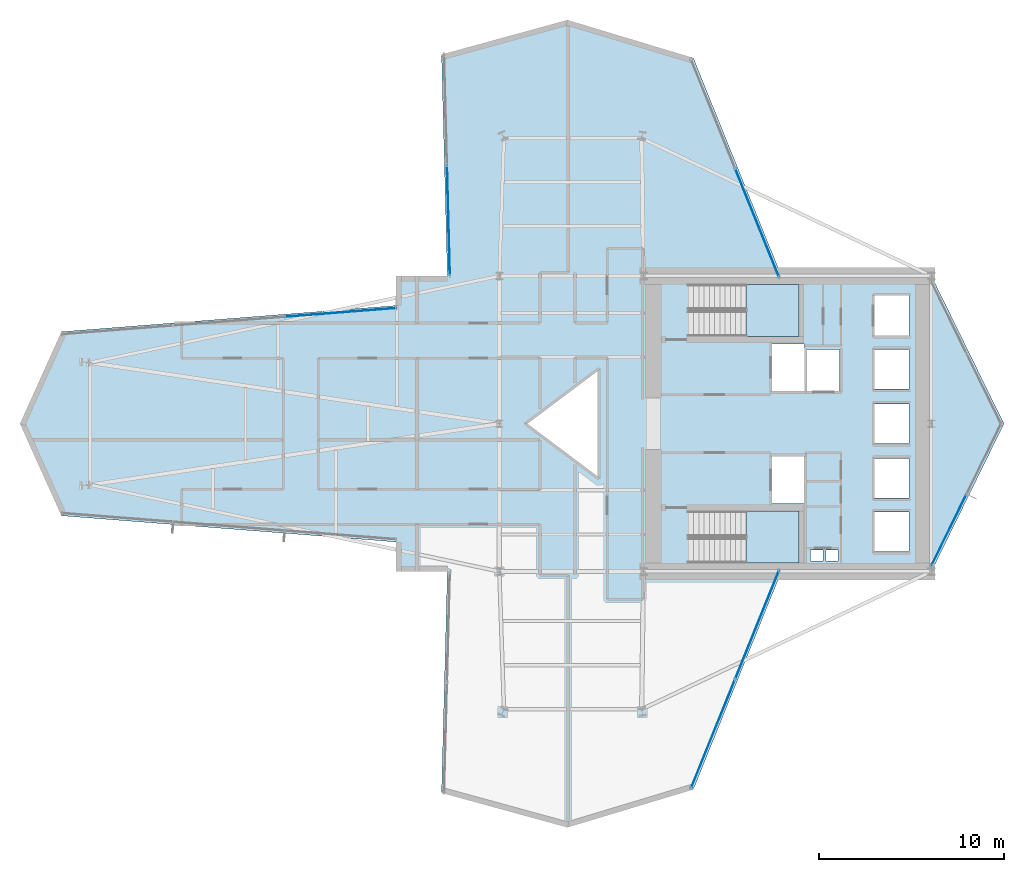
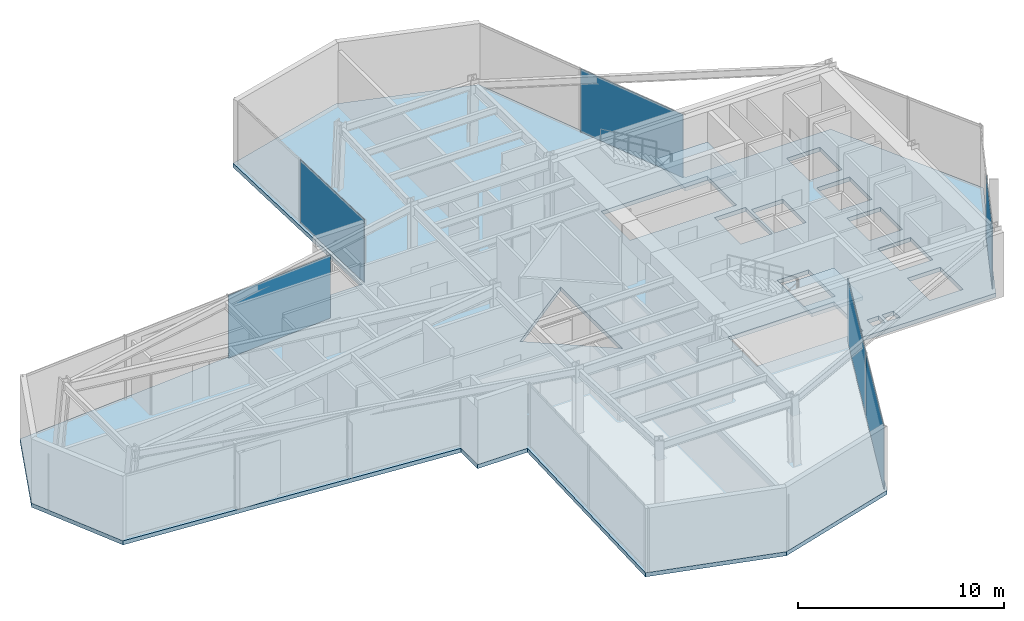
# One storey, part 25 of 31: 6 plates, 3 slabs, 7 elements without a shape of their own.
"""IFC4 building model written with IfcOpenShell, lengths in metres."""

from ifc_helpers import new_model, si_unit, direction, frame, origin, origin_2d, place, context, subcontext, project, spatial, polyline, rectangle, outline, extrude, material, layer, layer_set, type_object, element, aggregate, save


model = new_model("IFC4")

# Units and contexts
model_context = context("Model", 3, precision=1e-05, world=origin(), true_north=direction((0.0, 1.0)))
body_context = subcontext(model_context, "Body", "Model", "MODEL_VIEW")
ifc_project = project(units=[si_unit("LENGTHUNIT", "METRE"), si_unit("AREAUNIT", "SQUARE_METRE"), si_unit("VOLUMEUNIT", "CUBIC_METRE"), si_unit("PLANEANGLEUNIT", "RADIAN"), si_unit("MASSUNIT", "GRAM", prefix="KILO")], contexts=[model_context])

# Site, building, storey
site_placement = place(None, origin())
site = spatial("IfcSite", under=ifc_project, at=site_placement, CompositionType="ELEMENT")
building_placement = place(site_placement, origin())
building = spatial("IfcBuilding", under=site, at=building_placement, Name="Veymaron Broadcast Tower", CompositionType="ELEMENT")
storey_placement = place(building_placement, frame((0.0, 0.0, 70.199951171875)))
storey = spatial("IfcBuildingStorey", under=building, at=storey_placement, Name="L15", CompositionType="ELEMENT", Elevation=70.199951171875)

# Curtain wall, plate
ifc_material_1 = material(Name="Anodised aluminium AA 6063-T6 and laminated low-E dark glass", Category="aluminium")
ifc_layer_1 = layer(ifc_material_1, 0.179931640625)
ifc_layer_set_1 = layer_set([ifc_layer_1], Name="Anodised aluminium AA 6063-T6 and laminated low-E dark glass")
curtain_wall_type = type_object("IfcCurtainWallType", Name="CW-SYS-02", PredefinedType="NOTDEFINED", material=ifc_layer_set_1)
curtain_wall_1_placement = place(storey_placement, origin())
curtain_wall_1 = element("IfcCurtainWall", 1, at=curtain_wall_1_placement, inside=storey, type_object=curtain_wall_type, Name="L15 dark-glass curtain wall CW-L15-E2-1", PredefinedType="NOTDEFINED")
ifc_material_2 = material(Name="Double-silver solar-control dark glass IGU 32 mm", Category="glass")
ifc_layer_2 = layer(ifc_material_2, 0.031982421875)
ifc_layer_set_2 = layer_set([ifc_layer_2], Name="Double-silver solar-control dark glass IGU 32 mm")
plate_type = type_object("IfcPlateType", Name="CW-PNL-02", PredefinedType="CURTAIN_PANEL", material=ifc_layer_set_2)
plate_1_placement = place(storey_placement, frame((55.55029296875, 18.25390625, 0.0400390625), z_axis=(0.0, 0.0, 1.0), x_axis=(0.440644343304, 0.897681771406, 0.0)))
plate_1 = element("IfcPlate", 2, at=plate_1_placement, type_object=plate_type, Name="CW-L15-E2-1 unitised curtain panel 0", PredefinedType="CURTAIN_PANEL", context=body_context, shape_type="SweptSolid", body=[
    extrude(rectangle(XDim=4.253173828125, YDim=0.031982421875, at=origin_2d()), origin(), (0.0, 0.0, 1.0), 3.72998046875),
])
aggregate(curtain_wall_1, [plate_1])

curtain_wall_2_placement = place(storey_placement, origin())
curtain_wall_2 = element("IfcCurtainWall", 3, at=curtain_wall_2_placement, inside=storey, type_object=curtain_wall_type, Name="L15 dark-glass curtain wall CW-L15-E5-1", PredefinedType="NOTDEFINED")
plate_2_placement = place(storey_placement, frame((45.1552734375, 34.89599609375, 0.0400390625), z_axis=(0.0, 0.0, 1.0), x_axis=(-0.374703685828, 0.927144620772, 0.0)))
plate_2 = element("IfcPlate", 4, at=plate_2_placement, type_object=plate_type, Name="CW-L15-E5-1 unitised curtain panel 0", PredefinedType="CURTAIN_PANEL", context=body_context, shape_type="SweptSolid", body=[
    extrude(rectangle(XDim=6.30029296875, YDim=0.031982421875, at=origin_2d()), origin(), (0.0, 0.0, 1.0), 3.72998046875),
])
aggregate(curtain_wall_2, [plate_2])

curtain_wall_3_placement = place(storey_placement, origin())
curtain_wall_3 = element("IfcCurtainWall", 5, at=curtain_wall_3_placement, inside=storey, type_object=curtain_wall_type, Name="L15 dark-glass curtain wall CW-L15-E8-1", PredefinedType="NOTDEFINED")
plate_3_placement = place(storey_placement, frame((28.4482421875, 34.9990234375, 0.0400390625), z_axis=(0.0, 0.0, 1.0), x_axis=(0.026299079294, -0.999654119397, 0.0)))
plate_3 = element("IfcPlate", 6, at=plate_3_placement, type_object=plate_type, Name="CW-L15-E8-1 unitised curtain panel 1", PredefinedType="CURTAIN_PANEL", context=body_context, shape_type="SweptSolid", body=[
    extrude(rectangle(XDim=5.9326171875, YDim=0.031982421875, at=origin_2d()), origin(), (0.0, 0.0, 1.0), 3.72998046875),
])
aggregate(curtain_wall_3, [plate_3])

curtain_wall_4_placement = place(storey_placement, origin())
curtain_wall_4 = element("IfcCurtainWall", 7, at=curtain_wall_4_placement, inside=storey, type_object=curtain_wall_type, Name="L15 dark-glass curtain wall CW-L15-E11-1", PredefinedType="NOTDEFINED")
plate_4_placement = place(storey_placement, frame((22.600830078125, 30.024658203125, 0.0400390625), z_axis=(0.0, 0.0, 1.0), x_axis=(-0.996951473071, -0.078024101027, 0.0)))
plate_4 = element("IfcPlate", 8, at=plate_4_placement, type_object=plate_type, Name="CW-L15-E11-1 unitised curtain panel 0", PredefinedType="CURTAIN_PANEL", context=body_context, shape_type="SweptSolid", body=[
    extrude(rectangle(XDim=5.994384765625, YDim=0.031982421875, at=origin_2d()), origin(), (0.0, 0.0, 1.0), 3.72998046875),
])
aggregate(curtain_wall_4, [plate_4])

# Curtain wall, plates
curtain_wall_5_placement = place(storey_placement, origin())
curtain_wall_5 = element("IfcCurtainWall", 9, at=curtain_wall_5_placement, inside=storey, type_object=curtain_wall_type, Name="L15 dark-glass curtain wall CW-L15-E20-1", PredefinedType="NOTDEFINED")
plate_5_placement = place(storey_placement, frame((42.77197265625, 7.20703125, 0.0400390625), z_axis=(0.0, 0.0, 1.0), x_axis=(0.374703685828, 0.927144620772, 0.0)))
plate_5 = element("IfcPlate", 10, at=plate_5_placement, type_object=plate_type, Name="CW-L15-E20-1 unitised curtain panel 0", PredefinedType="CURTAIN_PANEL", context=body_context, shape_type="SweptSolid", body=[
    extrude(rectangle(XDim=6.30029296875, YDim=0.031982421875, at=origin_2d()), origin(), (0.0, 0.0, 1.0), 3.72998046875),
])
plate_6_placement = place(storey_placement, frame((45.1552734375, 13.10400390625, 0.0400390625), z_axis=(0.0, 0.0, 1.0), x_axis=(0.374703685828, 0.927144620772, 0.0)))
plate_6 = element("IfcPlate", 11, at=plate_6_placement, type_object=plate_type, Name="CW-L15-E20-1 unitised curtain panel 1", PredefinedType="CURTAIN_PANEL", context=body_context, shape_type="SweptSolid", body=[
    extrude(rectangle(XDim=6.30029296875, YDim=0.031982421875, at=origin_2d()), origin(), (0.0, 0.0, 1.0), 3.72998046875),
])
aggregate(curtain_wall_5, [plate_5, plate_6])

# Slab
ifc_material_3 = material(Name="Concrete C40/50", Category="concrete")
ifc_layer_3 = layer(ifc_material_3, 0.239990234375)
ifc_layer_set_3 = layer_set([ifc_layer_3], Name="Concrete C40/50")
slab_type_1 = type_object("IfcSlabType", Name="SLAB-FS6", PredefinedType="FLOOR", material=ifc_layer_set_3)
slab_1_placement = place(storey_placement, frame((0.0, 0.0, -0.239990234375)))
element("IfcSlab", 12, at=slab_1_placement, inside=storey, type_object=slab_type_1, Name="L15 structural floor slab", PredefinedType="FLOOR", context=body_context, shape_type="SweptSolid", body=[
    extrude(outline(polyline([(46.476806640625, 16.0), (54.60009765625, 16.0), (58.527099609375, 24.0), (54.60009765625, 32.0), (46.476806640625, 32.0), (41.710205078125, 43.7939453125), (34.89111328125, 45.85107421875), (28.07177734375, 43.98095703125), (28.386962890625, 32.0), (25.60791015625, 32.0), (25.60791015625, 30.400390625), (7.5, 28.9833984375), (5.256103515625, 24.0), (7.5, 19.0166015625), (25.60791015625, 17.599609375), (25.60791015625, 16.0), (28.386962890625, 16.0), (28.07177734375, 4.01904296875), (34.89111328125, 2.14892578125), (41.710205078125, 4.2060546875), (46.476806640625, 16.0)]), holes=[polyline([(45.969970703125, 28.330078125), (47.72998046875, 28.330078125), (47.72998046875, 25.77001953125), (45.969970703125, 25.77001953125), (45.969970703125, 28.330078125)]), polyline([(45.969970703125, 22.22998046875), (47.72998046875, 22.22998046875), (47.72998046875, 19.669921875), (45.969970703125, 19.669921875), (45.969970703125, 22.22998046875)]), polyline([(47.8701171875, 28.030029296875), (49.6298828125, 28.030029296875), (49.6298828125, 25.77001953125), (47.8701171875, 25.77001953125), (47.8701171875, 28.030029296875)]), polyline([(51.52001953125, 30.929931640625), (53.3798828125, 30.929931640625), (53.3798828125, 28.77001953125), (51.52001953125, 28.77001953125), (51.52001953125, 30.929931640625)]), polyline([(51.52001953125, 28.030029296875), (53.3798828125, 28.030029296875), (53.3798828125, 25.8701171875), (51.52001953125, 25.8701171875), (51.52001953125, 28.030029296875)]), polyline([(51.52001953125, 22.1298828125), (53.3798828125, 22.1298828125), (53.3798828125, 19.969970703125), (51.52001953125, 19.969970703125), (51.52001953125, 22.1298828125)]), polyline([(51.52001953125, 25.080078125), (53.3798828125, 25.080078125), (53.3798828125, 22.919921875), (51.52001953125, 22.919921875), (51.52001953125, 25.080078125)]), polyline([(51.52001953125, 19.22998046875), (53.3798828125, 19.22998046875), (53.3798828125, 17.070068359375), (51.52001953125, 17.070068359375), (51.52001953125, 19.22998046875)]), polyline([(48.050048828125, 17.159912109375), (48.719970703125, 17.159912109375), (48.719970703125, 16.56005859375), (48.050048828125, 16.56005859375), (48.050048828125, 17.159912109375)]), polyline([(48.8798828125, 17.159912109375), (49.550048828125, 17.159912109375), (49.550048828125, 16.56005859375), (48.8798828125, 16.56005859375), (48.8798828125, 17.159912109375)]), polyline([(36.60009765625, 27.0), (36.60009765625, 21.0), (32.60009765625, 24.0), (36.60009765625, 27.0)]), polyline([(41.489990234375, 31.550048828125), (47.43994140625, 31.550048828125), (47.43994140625, 28.72998046875), (41.489990234375, 28.72998046875), (41.489990234375, 31.550048828125)]), polyline([(41.489990234375, 19.27001953125), (47.43994140625, 19.27001953125), (47.43994140625, 16.449951171875), (41.489990234375, 16.449951171875), (41.489990234375, 19.27001953125)])]), origin(), (0.0, 0.0, 1.0), 0.239990234375),
])

# Stair, slab
ifc_material_4 = material(Name="Concrete C50/60", Category="concrete")
stair_type_1 = type_object("IfcStairType", Name="STAIR-CORE-1", PredefinedType="HALF_TURN_STAIR", material=ifc_material_4)
stair_1_placement = place(storey_placement, origin())
stair_1 = element("IfcStair", 13, at=stair_1_placement, inside=storey, type_object=stair_type_1, Name="L15 North protected dog-leg exit stair ST1", PredefinedType="HALF_TURN_STAIR")
ifc_layer_4 = layer(ifc_material_4, 0.199951171875)
ifc_layer_set_4 = layer_set([ifc_layer_4], Name="Concrete C50/60")
slab_type_2 = type_object("IfcSlabType", Name="SLAB-STAIR-LDG", PredefinedType="LANDING", material=ifc_layer_set_4)
slab_2_placement = place(storey_placement, frame((0.0, 0.0, 1.824951171875)))
slab_2 = element("IfcSlab", 14, at=slab_2_placement, type_object=slab_type_2, Name="ST1 landing 1", PredefinedType="LANDING", context=body_context, shape_type="SweptSolid", body=[
    extrude(outline(polyline([(44.56494140625, 28.72998046875), (47.43994140625, 28.72998046875), (47.43994140625, 31.550048828125), (44.56494140625, 31.550048828125), (44.56494140625, 28.72998046875)])), origin(), (0.0, 0.0, 1.0), 0.2001953125),
])
aggregate(stair_1, [slab_2])

stair_type_2 = type_object("IfcStairType", Name="STAIR-CORE-2", PredefinedType="HALF_TURN_STAIR", material=ifc_material_4)
stair_2_placement = place(storey_placement, origin())
stair_2 = element("IfcStair", 15, at=stair_2_placement, inside=storey, type_object=stair_type_2, Name="L15 South protected dog-leg exit stair ST2", PredefinedType="HALF_TURN_STAIR")
slab_3_placement = place(storey_placement, frame((0.0, 0.0, 1.824951171875)))
slab_3 = element("IfcSlab", 16, at=slab_3_placement, type_object=slab_type_2, Name="ST2 landing 1", PredefinedType="LANDING", context=body_context, shape_type="SweptSolid", body=[
    extrude(outline(polyline([(44.56494140625, 16.449951171875), (47.43994140625, 16.449951171875), (47.43994140625, 19.27001953125), (44.56494140625, 19.27001953125), (44.56494140625, 16.449951171875)])), origin(), (0.0, 0.0, 1.0), 0.2001953125),
])
aggregate(stair_2, [slab_3])

save(model, "model.ifc")
